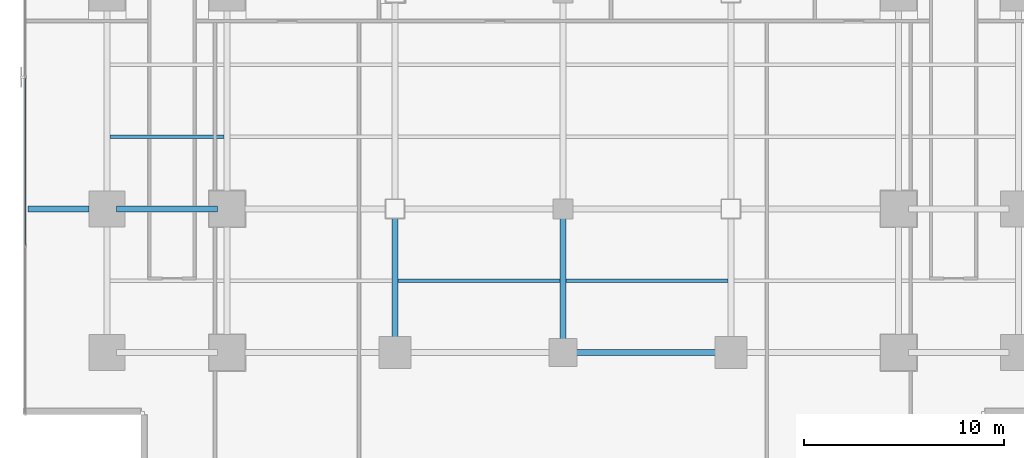
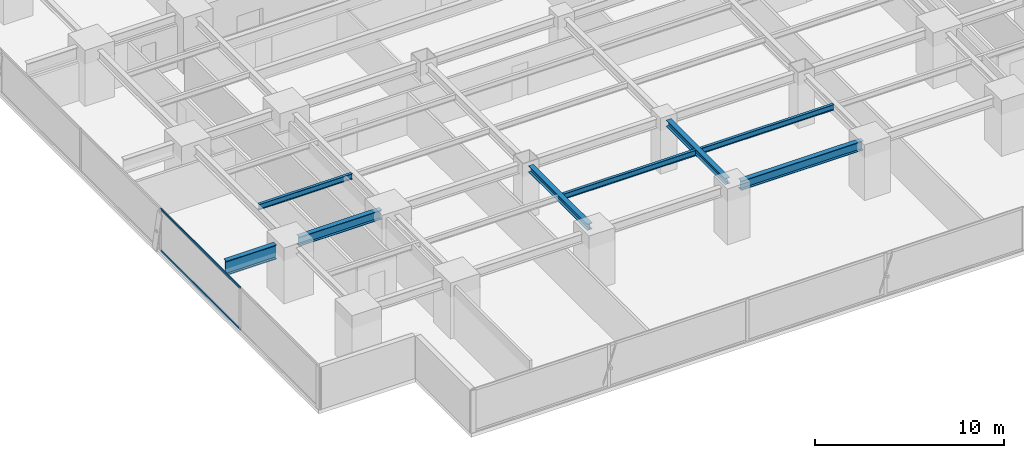
# One storey, part 6 of 32: 8 beams, 2 members, 1 element without a shape of its own.
"""IFC4 building model written with IfcOpenShell, lengths in metres."""

from ifc_helpers import new_model, si_unit, direction, frame, origin, origin_2d, place, context, subcontext, project, spatial, hollow_rectangle, i_section, extrude, source, transform, mapped, material, layer, layer_set, material_profile, profile_set, type_object, element, aggregate, save


model = new_model("IFC4")

# Units and contexts
model_context = context("Model", 3, precision=1e-05, world=origin(), true_north=direction((0.0, 1.0)))
body_context = subcontext(model_context, "Body", "Model", "MODEL_VIEW")
ifc_project = project(units=[si_unit("LENGTHUNIT", "METRE"), si_unit("AREAUNIT", "SQUARE_METRE"), si_unit("VOLUMEUNIT", "CUBIC_METRE"), si_unit("PLANEANGLEUNIT", "RADIAN"), si_unit("MASSUNIT", "GRAM", prefix="KILO")], contexts=[model_context])

# Site, building, storey
site_placement = place(None, origin())
site = spatial("IfcSite", under=ifc_project, at=site_placement, CompositionType="ELEMENT")
building_placement = place(site_placement, origin())
building = spatial("IfcBuilding", under=site, at=building_placement, Name="Sumidabori Civic Tower", CompositionType="ELEMENT")
storey_placement = place(building_placement, frame((0.0, 0.0, 52.39990234375)))
storey = spatial("IfcBuildingStorey", under=building, at=storey_placement, Name="L13", CompositionType="ELEMENT", Elevation=52.39990234375)

# Beams
ifc_material_1 = material(Name="Steel SN490", Category="steel")
ifc_material_profile_1 = material_profile(ifc_material_1, i_section(OverallWidth=0.300048828125, OverallDepth=0.60009765625, WebThickness=0.015380859375, FlangeThickness=0.030029296875, at=origin_2d()), Name="HE 600 B")
ifc_profile_set_1 = profile_set([ifc_material_profile_1], Name="Steel SN490")
beam_type_1 = type_object("IfcBeamType", Name="BM-GIRD-600", PredefinedType="BEAM", material=ifc_profile_set_1)
shared_shape_1 = source(origin(), body_context, "Body", "SweptSolid", [
    extrude(i_section(OverallWidth=0.300048828125, OverallDepth=0.60009765625, WebThickness=0.015380859375, FlangeThickness=0.030029296875, at=origin_2d()), origin(), (0.0, 0.0, 1.0), 5.0400390625),
])
beam_1_placement = place(storey_placement, frame((-22.320068359375, -10.800048828125, 3.06005859375), z_axis=(1.0, 0.0, 0.0), x_axis=(0.0, 1.0, 0.0)))
element("IfcBeam", 1, at=beam_1_placement, inside=storey, type_object=beam_type_1, Name="Primary Girder L13 GX-07", PredefinedType="BEAM", context=body_context, shape_type="MappedRepresentation", body=[
    mapped(shared_shape_1, transform((0.0, 0.0, 0.0), x_axis=(1.0, 0.0, 0.0), y_axis=(0.0, 1.0, 0.0), z_axis=(0.0, 0.0, 1.0), scale=1.0)),
])
shared_shape_2 = source(origin(), body_context, "Body", "SweptSolid", [
    extrude(i_section(OverallWidth=0.300048828125, OverallDepth=0.60009765625, WebThickness=0.015380859375, FlangeThickness=0.030029296875, at=origin_2d()), origin(), (0.0, 0.0, 1.0), 7.43994140625),
])
beam_2_placement = place(storey_placement, frame((0.47998046875, -18.0, 3.06005859375), z_axis=(1.0, 0.0, 0.0), x_axis=(0.0, 1.0, 0.0)))
element("IfcBeam", 2, at=beam_2_placement, inside=storey, type_object=beam_type_1, Name="Primary Girder L13 GX-04", PredefinedType="BEAM", context=body_context, shape_type="MappedRepresentation", body=[
    mapped(shared_shape_2, transform((0.0, 0.0, 0.0), x_axis=(1.0, 0.0, 0.0), y_axis=(0.0, 1.0, 0.0), z_axis=(0.0, 0.0, 1.0), scale=1.0)),
])
ifc_material_profile_2 = material_profile(ifc_material_1, i_section(OverallWidth=0.300048828125, OverallDepth=0.39990234375, WebThickness=0.013427734375, FlangeThickness=0.02392578125, at=origin_2d()), Name="HE 400 B")
ifc_profile_set_2 = profile_set([ifc_material_profile_2], Name="Steel SN490")
beam_type_2 = type_object("IfcBeamType", Name="BM-GIRD-400", PredefinedType="BEAM", material=ifc_profile_set_2)
shared_shape_3 = source(origin(), body_context, "Body", "SweptSolid", [
    extrude(i_section(OverallWidth=0.300048828125, OverallDepth=0.39990234375, WebThickness=0.013427734375, FlangeThickness=0.02392578125, at=origin_2d()), origin(), (0.0, 0.0, 1.0), 6.239990234375),
])
for number, where, z_axis, x_axis, name in (
    (3, (-8.39990234375, -17.52001953125, 3.16015625), (0.0, 1.0, 0.0), (-1.0, 0.0, 0.0), "Primary Girder L13 GY-29"),
    (4, (0.0, -17.52001953125, 3.16015625), (0.0, 1.0, 0.0), (-1.0, 0.0, 0.0), "Primary Girder L13 GY-31"),
):
    element("IfcBeam", number, at=place(storey_placement, frame(where, z_axis=z_axis, x_axis=x_axis)), inside=storey, type_object=beam_type_2, Name=name, PredefinedType="BEAM", context=body_context, shape_type="MappedRepresentation", body=[
        mapped(shared_shape_3, transform((0.0, 0.0, 0.0), x_axis=(1.0, 0.0, 0.0), y_axis=(0.0, 1.0, 0.0), z_axis=(0.0, 0.0, 1.0), scale=1.0)),
    ])
ifc_material_profile_3 = material_profile(ifc_material_1, i_section(OverallWidth=0.302001953125, OverallDepth=0.909912109375, WebThickness=0.02099609375, FlangeThickness=0.0400390625, at=origin_2d()), Name="HE 900 M")
ifc_profile_set_3 = profile_set([ifc_material_profile_3], Name="Steel SN490")
beam_type_3 = type_object("IfcBeamType", Name="BM-Z1-EDGE", PredefinedType="SPANDREL", material=ifc_profile_set_3)
shared_shape_4 = source(origin(), body_context, "Body", "SweptSolid", [
    extrude(i_section(OverallWidth=0.302001953125, OverallDepth=0.909912109375, WebThickness=0.02099609375, FlangeThickness=0.0400390625, at=origin_2d()), origin(), (0.0, 0.0, 1.0), 3.050048828125),
])
beam_3_placement = place(storey_placement, frame((-26.75, -10.800048828125, 2.905029296875), z_axis=(1.0, 0.0, 0.0), x_axis=(0.0, 1.0, 0.0)))
element("IfcBeam", 5, at=beam_3_placement, inside=storey, type_object=beam_type_3, Name="Perimeter Overhang Beam L13 W-44", PredefinedType="SPANDREL", context=body_context, shape_type="MappedRepresentation", body=[
    mapped(shared_shape_4, transform((0.0, 0.0, 0.0), x_axis=(1.0, 0.0, 0.0), y_axis=(0.0, 1.0, 0.0), z_axis=(0.0, 0.0, 1.0), scale=1.0)),
])
ifc_material_profile_4 = material_profile(ifc_material_1, i_section(OverallWidth=0.169921875, OverallDepth=0.360107421875, WebThickness=0.008056640625, FlangeThickness=0.0126953125, at=origin_2d()), Name="IPE 360")
ifc_profile_set_4 = profile_set([ifc_material_profile_4], Name="Steel SN490")
beam_type_4 = type_object("IfcBeamType", Name="BM-JST-360", PredefinedType="JOIST", material=ifc_profile_set_4)
shared_shape_5 = source(origin(), body_context, "Body", "SweptSolid", [
    extrude(i_section(OverallWidth=0.169921875, OverallDepth=0.360107421875, WebThickness=0.008056640625, FlangeThickness=0.0126953125, at=origin_2d()), origin(), (0.0, 0.0, 1.0), 5.699951171875),
])
beam_4_placement = place(storey_placement, frame((-22.64990234375, -7.199951171875, 3.18017578125), z_axis=(1.0, 0.0, 0.0), x_axis=(0.0, 1.0, 0.0)))
element("IfcBeam", 6, at=beam_4_placement, inside=storey, type_object=beam_type_4, Name="Outer Bay Floor Joist L13 JSTO-49", PredefinedType="JOIST", context=body_context, shape_type="MappedRepresentation", body=[
    mapped(shared_shape_5, transform((0.0, 0.0, 0.0), x_axis=(1.0, 0.0, 0.0), y_axis=(0.0, 1.0, 0.0), z_axis=(0.0, 0.0, 1.0), scale=1.0)),
])
shared_shape_6 = source(origin(), body_context, "Body", "SweptSolid", [
    extrude(i_section(OverallWidth=0.169921875, OverallDepth=0.360107421875, WebThickness=0.008056640625, FlangeThickness=0.0126953125, at=origin_2d()), origin(), (0.0, 0.0, 1.0), 8.10009765625),
])
for number, where, z_axis, x_axis, name in (
    (7, (-8.25, -14.39990234375, 3.18017578125), (1.0, 0.0, 0.0), (0.0, 1.0, 0.0), "South Bay Floor Joist L13 JSTS-62"),
    (8, (0.14990234375, -14.39990234375, 3.18017578125), (1.0, 0.0, 0.0), (0.0, 1.0, 0.0), "South Bay Floor Joist L13 JSTS-63"),
):
    element("IfcBeam", number, at=place(storey_placement, frame(where, z_axis=z_axis, x_axis=x_axis)), inside=storey, type_object=beam_type_4, Name=name, PredefinedType="JOIST", context=body_context, shape_type="MappedRepresentation", body=[
        mapped(shared_shape_6, transform((0.0, 0.0, 0.0), x_axis=(1.0, 0.0, 0.0), y_axis=(0.0, 1.0, 0.0), z_axis=(0.0, 0.0, 1.0), scale=1.0)),
    ])

# Curtain wall, members
ifc_material_2 = material(Name="Anodised Bronze Aluminium AW-6063-T6", Category="aluminium")
ifc_layer = layer(ifc_material_2, 0.179931640625, Name="Anodised Bronze Aluminium AW-6063-T6")
ifc_layer_set = layer_set([ifc_layer], Name="Anodised Bronze Aluminium AW-6063-T6")
curtain_wall_type = type_object("IfcCurtainWallType", Name="CW-SYS-2", PredefinedType="NOTDEFINED", material=ifc_layer_set)
curtain_wall_placement = place(storey_placement, origin())
curtain_wall = element("IfcCurtainWall", 9, at=curtain_wall_placement, inside=storey, type_object=curtain_wall_type, Name="Curtain Wall CW:L13:R10", PredefinedType="NOTDEFINED")
ifc_material_profile_5 = material_profile(ifc_material_2, hollow_rectangle(XDim=0.06494140625, YDim=0.14990234375, WallThickness=0.0048828125, at=origin_2d()), Name="ALU TRANSOM 150x65")
ifc_profile_set_5 = profile_set([ifc_material_profile_5], Name="Anodised Bronze Aluminium AW-6063-T6")
member_type = type_object("IfcMemberType", Name="CW-TRN-150", PredefinedType="USERDEFINED", material=ifc_profile_set_5)
shared_shape_7 = source(origin(), body_context, "Body", "SweptSolid", [
    extrude(hollow_rectangle(XDim=0.06494140625, YDim=0.14990234375, WallThickness=0.0048828125, at=origin_2d()), origin(), (0.0, 0.0, 1.0), 8.35791015625),
])
member_1_placement = place(storey_placement, frame((-26.8798828125, -4.2490234375, 0.03271484375), z_axis=(0.0, -1.0, 0.0), x_axis=(1.0, 0.0, 0.0)))
member_1 = element("IfcMember", 10, at=member_1_placement, type_object=member_type, Name="CW-2 transom 4.1", ObjectType="TRANSOM", PredefinedType="USERDEFINED", context=body_context, shape_type="MappedRepresentation", body=[
    mapped(shared_shape_7, transform((0.0, 0.0, 0.0), x_axis=(1.0, 0.0, 0.0), y_axis=(0.0, 1.0, 0.0), z_axis=(0.0, 0.0, 1.0), scale=1.0)),
])
member_2_placement = place(storey_placement, frame((-26.8798828125, -4.2490234375, 2.70751953125), z_axis=(0.0, -1.0, 0.0), x_axis=(1.0, 0.0, 0.0)))
member_2 = element("IfcMember", 11, at=member_2_placement, type_object=member_type, Name="CW-2 transom 4.2", ObjectType="TRANSOM", PredefinedType="USERDEFINED", context=body_context, shape_type="MappedRepresentation", body=[
    mapped(shared_shape_7, transform((0.0, 0.0, 0.0), x_axis=(1.0, 0.0, 0.0), y_axis=(0.0, 1.0, 0.0), z_axis=(0.0, 0.0, 1.0), scale=1.0)),
])
aggregate(curtain_wall, [member_1, member_2])

save(model, "model.ifc")
